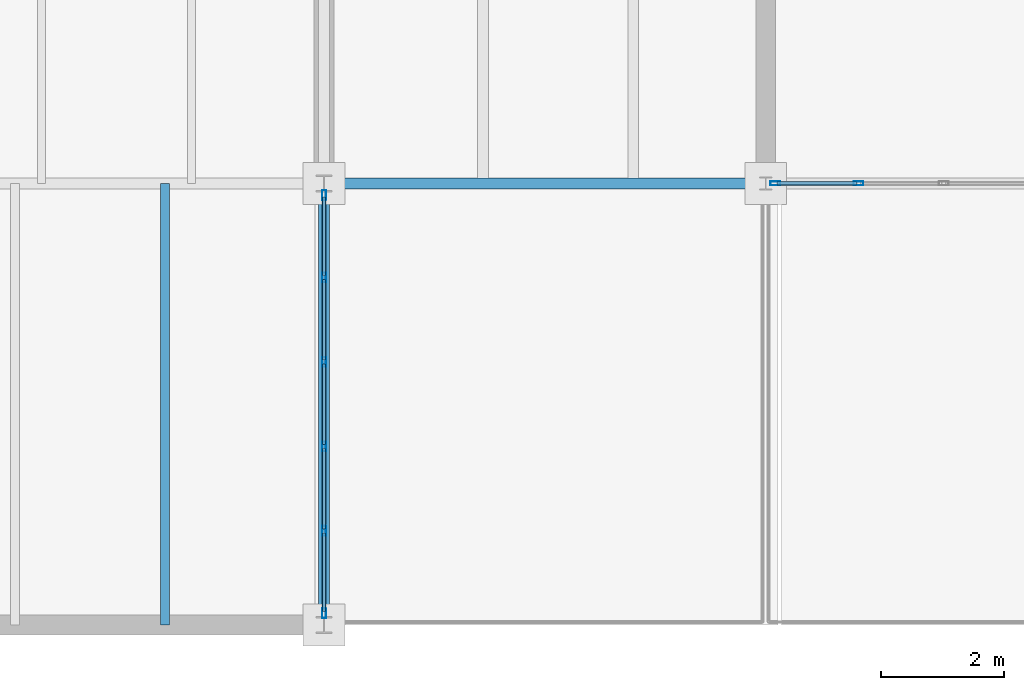
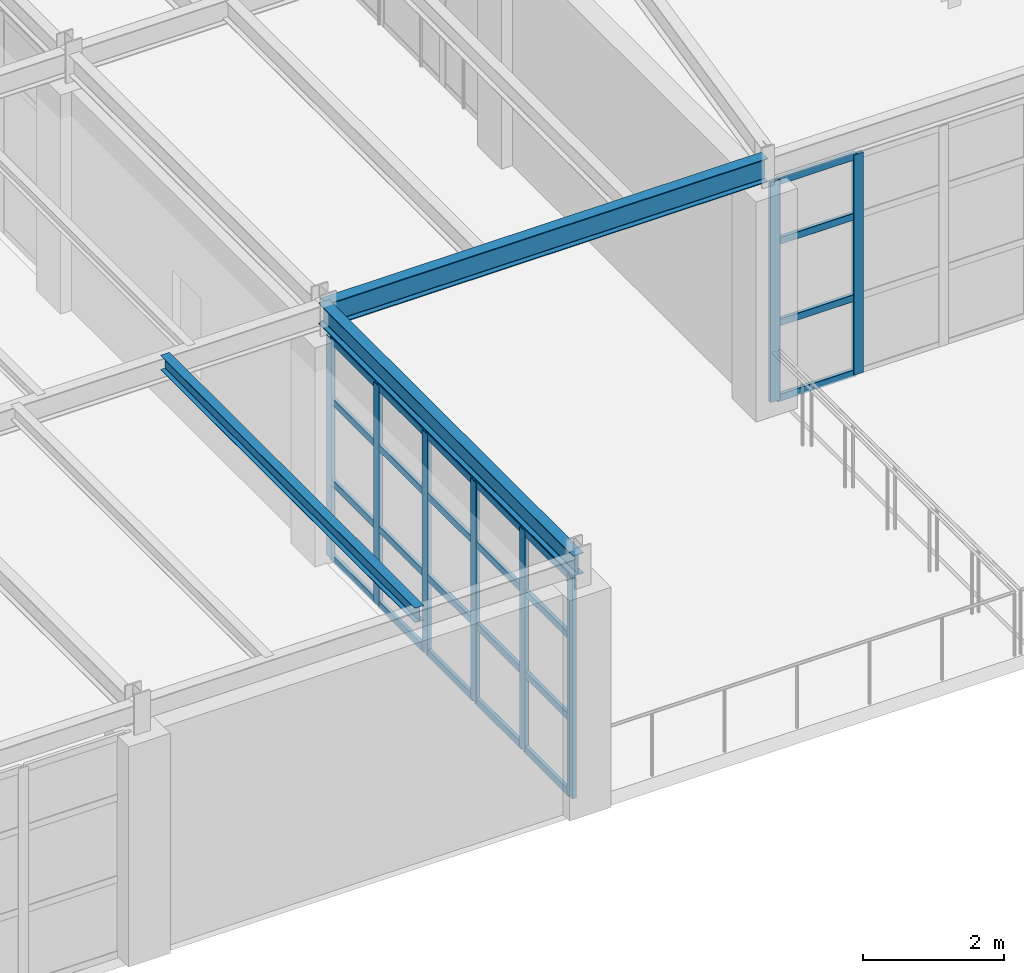
# One storey, part 27 of 101: 32 members, 3 beams, 2 elements without a shape of their own.
"""IFC4 building model written with IfcOpenShell, lengths in metres."""

import ifcopenshell
import ifcopenshell.guid

model = None  # the IFC model being written
_history = None  # IfcOwnerHistory: only IFC2X3 demands one
_inside = {}  # id of a spatial element -> (the spatial element, [elements in it])
_under = {}  # id of a project, library or spatial element -> (it, [spatial elements below it])
_declared = {}  # id of a project -> (the project, [libraries it declares])
_typed = {}  # id of a type object -> (the type object, [elements of that type])
_made_of = {}  # id of a material, layer set ... -> (it, [elements and type objects made of it])


def new_model(schema):
    """Start an empty IFC model of exactly this schema.

    Asked for "IFC4X3", IfcOpenShell would pick the latest addendum, in which some entities
    have other attributes; the version numbers below select the first issue.
    IFC2X3 requires an IfcOwnerHistory on every rooted entity: one is made here for all.
    """
    global model, _history
    if schema == "IFC4X3":
        model = ifcopenshell.file(schema_version=(4, 3, 0, 0))
    else:
        model = ifcopenshell.file(schema=schema)
    _inside.clear()
    _under.clear()
    _declared.clear()
    _typed.clear()
    _made_of.clear()
    _history = None
    if model.schema == "IFC2X3":
        org = make("IfcOrganization", Name="unknown")
        user = make(
            "IfcPersonAndOrganization",
            ThePerson=make("IfcPerson", FamilyName="unknown"),
            TheOrganization=org,
        )
        app = make(
            "IfcApplication",
            ApplicationDeveloper=org,
            Version="unknown",
            ApplicationFullName="unknown",
            ApplicationIdentifier="unknown",
        )
        _history = make(
            "IfcOwnerHistory",
            OwningUser=user,
            OwningApplication=app,
            ChangeAction="ADDED",
            CreationDate=0,
        )
    return model


def make(cls, **values):
    """One entity of the class cls with the attributes given. An attribute that is None is left unset."""
    return model.create_entity(
        cls, **{name: value for name, value in values.items() if value is not None}
    )


def rooted(cls, **values):
    """An entity with a GlobalId (a new one), such as an element, a storey or a relation."""
    return make(cls, GlobalId=ifcopenshell.guid.new(), OwnerHistory=_history, **values)


def si_unit(unit_type, name, prefix=None):
    """IfcSIUnit, for example si_unit("LENGTHUNIT", "METRE", prefix="MILLI")."""
    return make("IfcSIUnit", UnitType=unit_type, Prefix=prefix, Name=name)


def assignment(units):
    """IfcUnitAssignment: the units of a project."""
    return None if units is None else make("IfcUnitAssignment", Units=units)


def point(xyz):
    """IfcCartesianPoint."""
    return None if xyz is None else make("IfcCartesianPoint", Coordinates=xyz)


def direction(xyz):
    """IfcDirection."""
    return None if xyz is None else make("IfcDirection", DirectionRatios=xyz)


def frame(location, z_axis=None, x_axis=None):
    """IfcAxis2Placement3D, a coordinate frame: its origin and axes. An axis left out is left unset."""
    return make(
        "IfcAxis2Placement3D",
        Location=point(location),
        Axis=direction(z_axis),
        RefDirection=direction(x_axis),
    )


def frame_2d(location, x_axis=None):
    """IfcAxis2Placement2D, a coordinate frame in the plane: its origin and x axis."""
    return make(
        "IfcAxis2Placement2D", Location=point(location), RefDirection=direction(x_axis)
    )


def origin():
    """The frame at (0, 0, 0) with its axes left unset."""
    return frame((0.0, 0.0, 0.0))


def origin_2d():
    """The frame at (0, 0) in the plane with its x axis left unset."""
    return frame_2d((0.0, 0.0))


def place(relative_to, where):
    """IfcLocalPlacement: puts the frame where relative to a parent placement (None: the world)."""
    return make(
        "IfcLocalPlacement", PlacementRelTo=relative_to, RelativePlacement=where
    )


def context(
    kind, dimensions, precision=None, world=None, true_north=None, identifier=None
):
    """IfcGeometricRepresentationContext, for example the 3D "Model" context."""
    return make(
        "IfcGeometricRepresentationContext",
        ContextIdentifier=identifier,
        ContextType=kind,
        CoordinateSpaceDimension=dimensions,
        Precision=precision,
        WorldCoordinateSystem=world,
        TrueNorth=true_north,
    )


def subcontext(parent, identifier, kind, view, scale=None):
    """IfcGeometricRepresentationSubContext, for example "Body" below "Model"."""
    return make(
        "IfcGeometricRepresentationSubContext",
        ContextIdentifier=identifier,
        ContextType=kind,
        ParentContext=parent,
        TargetScale=scale,
        TargetView=view,
    )


def project(units=None, contexts=None):
    """IfcProject with its units and contexts."""
    return rooted(
        "IfcProject",
        Name="project",
        RepresentationContexts=contexts,
        UnitsInContext=assignment(units),
    )


def spatial(cls, under=None, at=None, **own):
    """A site, building, storey or space (cls), placed at a placement, below another one or the project."""
    s = rooted(cls, ObjectPlacement=at, **own)
    if under is not None:
        _under.setdefault(under.id(), (under, []))[1].append(s)
    return s


def profile(cls, at=None, kind="AREA", **sizes):
    """A parametric profile (cls). Its sizes go by their IFC names, for example OverallWidth=200.0."""
    return make(cls, ProfileType=kind, Position=at, **sizes)


def hollow_rectangle(**sizes):
    """IfcRectangleHollowProfileDef."""
    return profile("IfcRectangleHollowProfileDef", **sizes)


def i_section(**sizes):
    """IfcIShapeProfileDef."""
    return profile("IfcIShapeProfileDef", **sizes)


def extrude(swept, where, along, depth):
    """IfcExtrudedAreaSolid: the profile swept, set in the frame where, extruded along a direction by depth."""
    return make(
        "IfcExtrudedAreaSolid",
        SweptArea=swept,
        Position=where,
        ExtrudedDirection=direction(along),
        Depth=depth,
    )


def shape(context_of_items, identifier, shape_type, items):
    """IfcShapeRepresentation: the items that make up one representation, for example the "Body"."""
    return make(
        "IfcShapeRepresentation",
        ContextOfItems=context_of_items,
        RepresentationIdentifier=identifier,
        RepresentationType=shape_type,
        Items=items,
    )


def material(Name=None, Category=None):
    """IfcMaterial."""
    return make("IfcMaterial", Name=Name, Category=Category)


def layer(
    of_material, thickness, ventilated=None, Name=None, Category=None, Priority=None
):
    """IfcMaterialLayer: one layer of a wall or slab, of a material (None: an air gap)."""
    return make(
        "IfcMaterialLayer",
        Material=of_material,
        LayerThickness=thickness,
        IsVentilated=ventilated,
        Name=Name,
        Category=Category,
        Priority=Priority,
    )


def layer_set(layers, Name=None):
    """IfcMaterialLayerSet."""
    return make("IfcMaterialLayerSet", MaterialLayers=layers, LayerSetName=Name)


def material_profile(
    of_material, cross_section, Name=None, Category=None, Priority=None
):
    """IfcMaterialProfile: a cross section and its material."""
    return make(
        "IfcMaterialProfile",
        Name=Name,
        Material=of_material,
        Profile=cross_section,
        Priority=Priority,
        Category=Category,
    )


def profile_set(profiles, Name=None, composite=None):
    """IfcMaterialProfileSet."""
    return make(
        "IfcMaterialProfileSet",
        Name=Name,
        MaterialProfiles=profiles,
        CompositeProfile=composite,
    )


def made_of(thing, what):
    """Note that an element or type object is made of a material, layer set ...; save() writes the relation."""
    if what is not None:
        _made_of.setdefault(what.id(), (what, []))[1].append(thing)
    return thing


def type_object(cls, material=None, **own):
    """A type object (cls), such as IfcWallType, which elements share."""
    return made_of(rooted(cls, **own), material)


def element(
    cls,
    number,
    at=None,
    inside=None,
    cuts=None,
    type_object=None,
    material=None,
    context=None,
    identifier="Body",
    shape_type=None,
    held_by="IfcProductDefinitionShape",
    body=None,
    shapes=None,
    **own,
):
    """One element of the class cls, such as IfcWall. Its Tag is "e" and its number.

    at: its placement. inside: the storey or other place that contains it. cuts: it is an
    opening in that element (IfcRelVoidsElement). A single representation is given by context,
    identifier, shape_type and body (its items); several are given by shapes. held_by: the class
    of the entity that holds the representations. save() writes the other relations.
    """
    e = rooted(cls, Tag="e%d" % number, ObjectPlacement=at, **own)
    if body is not None:
        shapes = [shape(context, identifier, shape_type, body)]
    if shapes is not None:
        e.Representation = make(held_by, Representations=shapes)
    if inside is not None:
        _inside.setdefault(inside.id(), (inside, []))[1].append(e)
    if cuts is not None:
        rooted(
            "IfcRelVoidsElement", RelatingBuildingElement=cuts, RelatedOpeningElement=e
        )
    if type_object is not None:
        _typed.setdefault(type_object.id(), (type_object, []))[1].append(e)
    return made_of(e, material)


def aggregate(whole, parts):
    """IfcRelAggregates: a whole, such as a stair, and the parts it consists of."""
    return rooted("IfcRelAggregates", RelatingObject=whole, RelatedObjects=parts)


def save(model, path):
    """Write the relations noted so far, then the file.

    IfcRelAggregates (storeys below a building ...), IfcRelContainedInSpatialStructure (elements
    in a storey), IfcRelDefinesByType, IfcRelAssociatesMaterial and IfcRelDeclares: one each for
    every whole, place, type object, material and project.
    """
    for whole, parts in _under.values():
        aggregate(whole, parts)
    for where, things in _inside.values():
        rooted(
            "IfcRelContainedInSpatialStructure",
            RelatedElements=things,
            RelatingStructure=where,
        )
    for kind, things in _typed.values():
        rooted("IfcRelDefinesByType", RelatedObjects=things, RelatingType=kind)
    for what, things in _made_of.values():
        rooted("IfcRelAssociatesMaterial", RelatedObjects=things, RelatingMaterial=what)
    for by, libraries in _declared.values():
        rooted("IfcRelDeclares", RelatingContext=by, RelatedDefinitions=libraries)
    model.write(path)


model = new_model("IFC4")

# Units and contexts
model_context = context("Model", 3, precision=1e-05, world=origin(), true_north=direction((0.0, 1.0)))
body_context = subcontext(model_context, "Body", "Model", "MODEL_VIEW")
ifc_project = project(units=[si_unit("LENGTHUNIT", "METRE"), si_unit("AREAUNIT", "SQUARE_METRE"), si_unit("VOLUMEUNIT", "CUBIC_METRE"), si_unit("PLANEANGLEUNIT", "RADIAN"), si_unit("MASSUNIT", "GRAM", prefix="KILO")], contexts=[model_context])

# Site, building, storey
site_placement = place(None, origin())
site = spatial("IfcSite", under=ifc_project, at=site_placement, CompositionType="ELEMENT")
building_placement = place(site_placement, origin())
building = spatial("IfcBuilding", under=site, at=building_placement, Name="Kemerveld Promenade Tramway Depot", CompositionType="ELEMENT")
storey_placement = place(building_placement, frame((0.0, 0.0, 9.89990234375)))
storey = spatial("IfcBuildingStorey", under=building, at=storey_placement, Name="L02", CompositionType="ELEMENT", Elevation=9.89990234375)

# Beams
ifc_material_1 = material(Name="Steel S355", Category="steel")
ifc_material_profile_1 = material_profile(ifc_material_1, i_section(OverallWidth=0.1787109375, OverallDepth=0.409423828125, WebThickness=0.0087890625, FlangeThickness=0.014404296875, FilletRadius=0.01025390625, at=origin_2d()), Name="406x178x67 UB")
ifc_profile_set_1 = profile_set([ifc_material_profile_1], Name="Steel S355")
beam_type_1 = type_object("IfcBeamType", Name="BM-G07", PredefinedType="BEAM", material=ifc_profile_set_1)
beam_1_placement = place(storey_placement, frame((50.39990234375, 7.199951171875, 4.080322265625), z_axis=(1.0, 0.0, 0.0), x_axis=(0.0, 1.0, 0.0)))
element("IfcBeam", 1, at=beam_1_placement, inside=storey, type_object=beam_type_1, Name="BMX-L02-08-09-B", PredefinedType="BEAM", context=body_context, shape_type="SweptSolid", body=[
    extrude(i_section(OverallWidth=0.1787109375, OverallDepth=0.409423828125, WebThickness=0.0087890625, FlangeThickness=0.014404296875, FilletRadius=0.01025390625, at=origin_2d()), origin(), (0.0, 0.0, 1.0), 7.2001953125),
])
ifc_material_profile_2 = material_profile(ifc_material_1, i_section(OverallWidth=0.172119140625, OverallDepth=0.35791015625, WebThickness=0.008056640625, FlangeThickness=0.012939453125, FilletRadius=0.01025390625, at=origin_2d()), Name="356x171x57 UB")
ifc_profile_set_2 = profile_set([ifc_material_profile_2], Name="Steel S355")
beam_type_2 = type_object("IfcBeamType", Name="BM-G08", PredefinedType="BEAM", material=ifc_profile_set_2)
beam_2_placement = place(storey_placement, frame((50.39990234375, 0.0, 4.106201171875), z_axis=(0.0, 1.0, 0.0), x_axis=(-1.0, 0.0, 0.0)))
element("IfcBeam", 2, at=beam_2_placement, inside=storey, type_object=beam_type_2, Name="BMY-L02-08-A-B", PredefinedType="BEAM", context=body_context, shape_type="SweptSolid", body=[
    extrude(i_section(OverallWidth=0.172119140625, OverallDepth=0.35791015625, WebThickness=0.008056640625, FlangeThickness=0.012939453125, FilletRadius=0.01025390625, at=origin_2d()), origin(), (0.0, 0.0, 1.0), 7.199951171875),
])
ifc_material_profile_3 = material_profile(ifc_material_1, i_section(OverallWidth=0.146484375, OverallDepth=0.256103515625, WebThickness=0.00634765625, FlangeThickness=0.010986328125, FilletRadius=0.007568359375, at=origin_2d()), Name="254x146x37 UB")
ifc_profile_set_3 = profile_set([ifc_material_profile_3], Name="Steel S355")
beam_type_3 = type_object("IfcBeamType", Name="BM-J02", PredefinedType="JOIST", material=ifc_profile_set_3)
beam_3_placement = place(storey_placement, frame((47.80810546875, 0.0, 4.156982421875), z_axis=(0.0, 1.0, 0.0), x_axis=(-1.0, 0.0, 0.0)))
element("IfcBeam", 3, at=beam_3_placement, inside=storey, type_object=beam_type_3, Name="JST-L02-07-A-2", PredefinedType="JOIST", context=body_context, shape_type="SweptSolid", body=[
    extrude(i_section(OverallWidth=0.146484375, OverallDepth=0.256103515625, WebThickness=0.00634765625, FlangeThickness=0.010986328125, FilletRadius=0.007568359375, at=origin_2d()), origin(), (0.0, 0.0, 1.0), 7.199951171875),
])

# Curtain wall, members
ifc_material_2 = material(Name="Bronze anodised aluminium and solar glass", Category="aluminium")
ifc_layer = layer(ifc_material_2, 0.159912109375)
ifc_layer_set = layer_set([ifc_layer], Name="CW-SYS-13")
curtain_wall_type = type_object("IfcCurtainWallType", Name="CW-SYS-13", PredefinedType="USERDEFINED", material=ifc_layer_set)
curtain_wall_1_placement = place(storey_placement, origin())
curtain_wall_1 = element("IfcCurtainWall", 4, at=curtain_wall_1_placement, inside=storey, type_object=curtain_wall_type, Name="CW-L02-V5E-10", ObjectType="GLAZED_CURTAIN_WALL", PredefinedType="USERDEFINED")
ifc_material_3 = material(Name="Bronze anodised aluminium", Category="aluminium")
ifc_material_profile_4 = material_profile(ifc_material_3, hollow_rectangle(XDim=0.06494140625, YDim=0.159912109375, WallThickness=0.00390625, InnerFilletRadius=0.001953125, OuterFilletRadius=0.00390625, at=origin_2d()), Name="CW-MUL-160x65")
ifc_profile_set_4 = profile_set([ifc_material_profile_4], Name="Bronze anodised aluminium")
member_type_1 = type_object("IfcMemberType", Name="CW-MUL-A", PredefinedType="MULLION", material=ifc_profile_set_4)
member_1_placement = place(storey_placement, frame((50.39990234375, 7.009521484375, 0.0), z_axis=(0.0, 0.0, 1.0), x_axis=(1.0, 0.0, 0.0)))
member_1 = element("IfcMember", 5, at=member_1_placement, type_object=member_type_1, Name="CW13 mullion 1", PredefinedType="MULLION", context=body_context, shape_type="SweptSolid", body=[
    extrude(hollow_rectangle(XDim=0.06494140625, YDim=0.159912109375, WallThickness=0.00390625, InnerFilletRadius=0.001953125, OuterFilletRadius=0.00390625, at=origin_2d()), origin(), (0.0, 0.0, 1.0), 3.800048828125),
])
member_2_placement = place(storey_placement, frame((50.39990234375, 5.6650390625, 0.0), z_axis=(0.0, 0.0, 1.0), x_axis=(1.0, 0.0, 0.0)))
member_2 = element("IfcMember", 6, at=member_2_placement, type_object=member_type_1, Name="CW13 mullion 2", PredefinedType="MULLION", context=body_context, shape_type="SweptSolid", body=[
    extrude(hollow_rectangle(XDim=0.06494140625, YDim=0.159912109375, WallThickness=0.00390625, InnerFilletRadius=0.001953125, OuterFilletRadius=0.00390625, at=origin_2d()), origin(), (0.0, 0.0, 1.0), 3.800048828125),
])
member_3_placement = place(storey_placement, frame((50.39990234375, 4.288330078125, 0.0), z_axis=(0.0, 0.0, 1.0), x_axis=(1.0, 0.0, 0.0)))
member_3 = element("IfcMember", 7, at=member_3_placement, type_object=member_type_1, Name="CW13 mullion 3", PredefinedType="MULLION", context=body_context, shape_type="SweptSolid", body=[
    extrude(hollow_rectangle(XDim=0.06494140625, YDim=0.159912109375, WallThickness=0.00390625, InnerFilletRadius=0.001953125, OuterFilletRadius=0.00390625, at=origin_2d()), origin(), (0.0, 0.0, 1.0), 3.800048828125),
])
member_4_placement = place(storey_placement, frame((50.39990234375, 2.91162109375, 0.0), z_axis=(0.0, 0.0, 1.0), x_axis=(1.0, 0.0, 0.0)))
member_4 = element("IfcMember", 8, at=member_4_placement, type_object=member_type_1, Name="CW13 mullion 4", PredefinedType="MULLION", context=body_context, shape_type="SweptSolid", body=[
    extrude(hollow_rectangle(XDim=0.06494140625, YDim=0.159912109375, WallThickness=0.00390625, InnerFilletRadius=0.001953125, OuterFilletRadius=0.00390625, at=origin_2d()), origin(), (0.0, 0.0, 1.0), 3.800048828125),
])
member_5_placement = place(storey_placement, frame((50.39990234375, 1.534912109375, 0.0), z_axis=(0.0, 0.0, 1.0), x_axis=(1.0, 0.0, 0.0)))
member_5 = element("IfcMember", 9, at=member_5_placement, type_object=member_type_1, Name="CW13 mullion 5", PredefinedType="MULLION", context=body_context, shape_type="SweptSolid", body=[
    extrude(hollow_rectangle(XDim=0.06494140625, YDim=0.159912109375, WallThickness=0.00390625, InnerFilletRadius=0.001953125, OuterFilletRadius=0.00390625, at=origin_2d()), origin(), (0.0, 0.0, 1.0), 3.800048828125),
])
member_6_placement = place(storey_placement, frame((50.39990234375, 0.190673828125, 0.0), z_axis=(0.0, 0.0, 1.0), x_axis=(1.0, 0.0, 0.0)))
member_6 = element("IfcMember", 10, at=member_6_placement, type_object=member_type_1, Name="CW13 mullion 6", PredefinedType="MULLION", context=body_context, shape_type="SweptSolid", body=[
    extrude(hollow_rectangle(XDim=0.06494140625, YDim=0.159912109375, WallThickness=0.00390625, InnerFilletRadius=0.001953125, OuterFilletRadius=0.00390625, at=origin_2d()), origin(), (0.0, 0.0, 1.0), 3.800048828125),
])

curtain_wall_2_placement = place(storey_placement, origin())
curtain_wall_2 = element("IfcCurtainWall", 11, at=curtain_wall_2_placement, inside=storey, type_object=curtain_wall_type, Name="CW-L02-V4S-10", ObjectType="GLAZED_CURTAIN_WALL", PredefinedType="USERDEFINED")
member_7_placement = place(storey_placement, frame((59.114990234375, 7.199951171875, 0.0), z_axis=(0.0, 0.0, 1.0), x_axis=(0.0, -1.0, 0.0)))
member_7 = element("IfcMember", 12, at=member_7_placement, type_object=member_type_1, Name="CW13 mullion 5", PredefinedType="MULLION", context=body_context, shape_type="SweptSolid", body=[
    extrude(hollow_rectangle(XDim=0.06494140625, YDim=0.159912109375, WallThickness=0.00390625, InnerFilletRadius=0.001953125, OuterFilletRadius=0.00390625, at=origin_2d()), origin(), (0.0, 0.0, 1.0), 3.800048828125),
])
member_8_placement = place(storey_placement, frame((57.75732421875, 7.199951171875, 0.0), z_axis=(0.0, 0.0, 1.0), x_axis=(0.0, -1.0, 0.0)))
member_8 = element("IfcMember", 13, at=member_8_placement, type_object=member_type_1, Name="CW13 mullion 6", PredefinedType="MULLION", context=body_context, shape_type="SweptSolid", body=[
    extrude(hollow_rectangle(XDim=0.06494140625, YDim=0.159912109375, WallThickness=0.00390625, InnerFilletRadius=0.001953125, OuterFilletRadius=0.00390625, at=origin_2d()), origin(), (0.0, 0.0, 1.0), 3.800048828125),
])

# Member
ifc_material_profile_5 = material_profile(ifc_material_3, hollow_rectangle(XDim=0.06005859375, YDim=0.1201171875, WallThickness=0.00390625, InnerFilletRadius=0.001953125, OuterFilletRadius=0.00390625, at=origin_2d()), Name="CW-TRN-120x60")
ifc_profile_set_5 = profile_set([ifc_material_profile_5], Name="Bronze anodised aluminium")
member_type_2 = type_object("IfcMemberType", Name="CW-TRN-A", PredefinedType="USERDEFINED", material=ifc_profile_set_5)
member_9_placement = place(storey_placement, frame((50.39990234375, 6.976806640625, 0.030029296875), z_axis=(0.0, -1.0, 0.0), x_axis=(1.0, 0.0, 0.0)))
member_9 = element("IfcMember", 14, at=member_9_placement, type_object=member_type_2, Name="CW13 transom 1.1", ObjectType="TRANSOM", PredefinedType="USERDEFINED", context=body_context, shape_type="SweptSolid", body=[
    extrude(hollow_rectangle(XDim=0.06005859375, YDim=0.1201171875, WallThickness=0.00390625, InnerFilletRadius=0.001953125, OuterFilletRadius=0.00390625, at=origin_2d()), origin(), (0.0, 0.0, 1.0), 1.279052734375),
])

member_10_placement = place(storey_placement, frame((50.39990234375, 6.976806640625, 1.330078125), z_axis=(0.0, -1.0, 0.0), x_axis=(1.0, 0.0, 0.0)))
member_10 = element("IfcMember", 15, at=member_10_placement, type_object=member_type_2, Name="CW13 transom 1.2", ObjectType="TRANSOM", PredefinedType="USERDEFINED", context=body_context, shape_type="SweptSolid", body=[
    extrude(hollow_rectangle(XDim=0.06005859375, YDim=0.1201171875, WallThickness=0.00390625, InnerFilletRadius=0.001953125, OuterFilletRadius=0.00390625, at=origin_2d()), origin(), (0.0, 0.0, 1.0), 1.279052734375),
])

member_11_placement = place(storey_placement, frame((50.39990234375, 6.976806640625, 2.736083984375), z_axis=(0.0, -1.0, 0.0), x_axis=(1.0, 0.0, 0.0)))
member_11 = element("IfcMember", 16, at=member_11_placement, type_object=member_type_2, Name="CW13 transom 1.3", ObjectType="TRANSOM", PredefinedType="USERDEFINED", context=body_context, shape_type="SweptSolid", body=[
    extrude(hollow_rectangle(XDim=0.06005859375, YDim=0.1201171875, WallThickness=0.00390625, InnerFilletRadius=0.001953125, OuterFilletRadius=0.00390625, at=origin_2d()), origin(), (0.0, 0.0, 1.0), 1.279052734375),
])

member_12_placement = place(storey_placement, frame((50.39990234375, 6.976806640625, 3.77001953125), z_axis=(0.0, -1.0, 0.0), x_axis=(1.0, 0.0, 0.0)))
member_12 = element("IfcMember", 17, at=member_12_placement, type_object=member_type_2, Name="CW13 transom 1.4", ObjectType="TRANSOM", PredefinedType="USERDEFINED", context=body_context, shape_type="SweptSolid", body=[
    extrude(hollow_rectangle(XDim=0.06005859375, YDim=0.1201171875, WallThickness=0.00390625, InnerFilletRadius=0.001953125, OuterFilletRadius=0.00390625, at=origin_2d()), origin(), (0.0, 0.0, 1.0), 1.279052734375),
])

member_13_placement = place(storey_placement, frame((50.39990234375, 5.632568359375, 0.030029296875), z_axis=(0.0, -1.0, 0.0), x_axis=(1.0, 0.0, 0.0)))
member_13 = element("IfcMember", 18, at=member_13_placement, type_object=member_type_2, Name="CW13 transom 2.1", ObjectType="TRANSOM", PredefinedType="USERDEFINED", context=body_context, shape_type="SweptSolid", body=[
    extrude(hollow_rectangle(XDim=0.06005859375, YDim=0.1201171875, WallThickness=0.00390625, InnerFilletRadius=0.001953125, OuterFilletRadius=0.00390625, at=origin_2d()), origin(), (0.0, 0.0, 1.0), 1.311767578125),
])

member_14_placement = place(storey_placement, frame((50.39990234375, 5.632568359375, 1.330078125), z_axis=(0.0, -1.0, 0.0), x_axis=(1.0, 0.0, 0.0)))
member_14 = element("IfcMember", 19, at=member_14_placement, type_object=member_type_2, Name="CW13 transom 2.2", ObjectType="TRANSOM", PredefinedType="USERDEFINED", context=body_context, shape_type="SweptSolid", body=[
    extrude(hollow_rectangle(XDim=0.06005859375, YDim=0.1201171875, WallThickness=0.00390625, InnerFilletRadius=0.001953125, OuterFilletRadius=0.00390625, at=origin_2d()), origin(), (0.0, 0.0, 1.0), 1.311767578125),
])

member_15_placement = place(storey_placement, frame((50.39990234375, 5.632568359375, 2.736083984375), z_axis=(0.0, -1.0, 0.0), x_axis=(1.0, 0.0, 0.0)))
member_15 = element("IfcMember", 20, at=member_15_placement, type_object=member_type_2, Name="CW13 transom 2.3", ObjectType="TRANSOM", PredefinedType="USERDEFINED", context=body_context, shape_type="SweptSolid", body=[
    extrude(hollow_rectangle(XDim=0.06005859375, YDim=0.1201171875, WallThickness=0.00390625, InnerFilletRadius=0.001953125, OuterFilletRadius=0.00390625, at=origin_2d()), origin(), (0.0, 0.0, 1.0), 1.311767578125),
])

member_16_placement = place(storey_placement, frame((50.39990234375, 5.632568359375, 3.77001953125), z_axis=(0.0, -1.0, 0.0), x_axis=(1.0, 0.0, 0.0)))
member_16 = element("IfcMember", 21, at=member_16_placement, type_object=member_type_2, Name="CW13 transom 2.4", ObjectType="TRANSOM", PredefinedType="USERDEFINED", context=body_context, shape_type="SweptSolid", body=[
    extrude(hollow_rectangle(XDim=0.06005859375, YDim=0.1201171875, WallThickness=0.00390625, InnerFilletRadius=0.001953125, OuterFilletRadius=0.00390625, at=origin_2d()), origin(), (0.0, 0.0, 1.0), 1.311767578125),
])

member_17_placement = place(storey_placement, frame((50.39990234375, 4.255859375, 0.030029296875), z_axis=(0.0, -1.0, 0.0), x_axis=(1.0, 0.0, 0.0)))
member_17 = element("IfcMember", 22, at=member_17_placement, type_object=member_type_2, Name="CW13 transom 3.1", ObjectType="TRANSOM", PredefinedType="USERDEFINED", context=body_context, shape_type="SweptSolid", body=[
    extrude(hollow_rectangle(XDim=0.06005859375, YDim=0.1201171875, WallThickness=0.00390625, InnerFilletRadius=0.001953125, OuterFilletRadius=0.00390625, at=origin_2d()), origin(), (0.0, 0.0, 1.0), 1.311767578125),
])

member_18_placement = place(storey_placement, frame((50.39990234375, 4.255859375, 1.330078125), z_axis=(0.0, -1.0, 0.0), x_axis=(1.0, 0.0, 0.0)))
member_18 = element("IfcMember", 23, at=member_18_placement, type_object=member_type_2, Name="CW13 transom 3.2", ObjectType="TRANSOM", PredefinedType="USERDEFINED", context=body_context, shape_type="SweptSolid", body=[
    extrude(hollow_rectangle(XDim=0.06005859375, YDim=0.1201171875, WallThickness=0.00390625, InnerFilletRadius=0.001953125, OuterFilletRadius=0.00390625, at=origin_2d()), origin(), (0.0, 0.0, 1.0), 1.311767578125),
])

member_19_placement = place(storey_placement, frame((50.39990234375, 4.255859375, 2.736083984375), z_axis=(0.0, -1.0, 0.0), x_axis=(1.0, 0.0, 0.0)))
member_19 = element("IfcMember", 24, at=member_19_placement, type_object=member_type_2, Name="CW13 transom 3.3", ObjectType="TRANSOM", PredefinedType="USERDEFINED", context=body_context, shape_type="SweptSolid", body=[
    extrude(hollow_rectangle(XDim=0.06005859375, YDim=0.1201171875, WallThickness=0.00390625, InnerFilletRadius=0.001953125, OuterFilletRadius=0.00390625, at=origin_2d()), origin(), (0.0, 0.0, 1.0), 1.311767578125),
])

member_20_placement = place(storey_placement, frame((50.39990234375, 4.255859375, 3.77001953125), z_axis=(0.0, -1.0, 0.0), x_axis=(1.0, 0.0, 0.0)))
member_20 = element("IfcMember", 25, at=member_20_placement, type_object=member_type_2, Name="CW13 transom 3.4", ObjectType="TRANSOM", PredefinedType="USERDEFINED", context=body_context, shape_type="SweptSolid", body=[
    extrude(hollow_rectangle(XDim=0.06005859375, YDim=0.1201171875, WallThickness=0.00390625, InnerFilletRadius=0.001953125, OuterFilletRadius=0.00390625, at=origin_2d()), origin(), (0.0, 0.0, 1.0), 1.311767578125),
])

member_21_placement = place(storey_placement, frame((50.39990234375, 2.879150390625, 0.030029296875), z_axis=(0.0, -1.0, 0.0), x_axis=(1.0, 0.0, 0.0)))
member_21 = element("IfcMember", 26, at=member_21_placement, type_object=member_type_2, Name="CW13 transom 4.1", ObjectType="TRANSOM", PredefinedType="USERDEFINED", context=body_context, shape_type="SweptSolid", body=[
    extrude(hollow_rectangle(XDim=0.06005859375, YDim=0.1201171875, WallThickness=0.00390625, InnerFilletRadius=0.001953125, OuterFilletRadius=0.00390625, at=origin_2d()), origin(), (0.0, 0.0, 1.0), 1.311767578125),
])

member_22_placement = place(storey_placement, frame((50.39990234375, 2.879150390625, 1.330078125), z_axis=(0.0, -1.0, 0.0), x_axis=(1.0, 0.0, 0.0)))
member_22 = element("IfcMember", 27, at=member_22_placement, type_object=member_type_2, Name="CW13 transom 4.2", ObjectType="TRANSOM", PredefinedType="USERDEFINED", context=body_context, shape_type="SweptSolid", body=[
    extrude(hollow_rectangle(XDim=0.06005859375, YDim=0.1201171875, WallThickness=0.00390625, InnerFilletRadius=0.001953125, OuterFilletRadius=0.00390625, at=origin_2d()), origin(), (0.0, 0.0, 1.0), 1.311767578125),
])

member_23_placement = place(storey_placement, frame((50.39990234375, 2.879150390625, 2.736083984375), z_axis=(0.0, -1.0, 0.0), x_axis=(1.0, 0.0, 0.0)))
member_23 = element("IfcMember", 28, at=member_23_placement, type_object=member_type_2, Name="CW13 transom 4.3", ObjectType="TRANSOM", PredefinedType="USERDEFINED", context=body_context, shape_type="SweptSolid", body=[
    extrude(hollow_rectangle(XDim=0.06005859375, YDim=0.1201171875, WallThickness=0.00390625, InnerFilletRadius=0.001953125, OuterFilletRadius=0.00390625, at=origin_2d()), origin(), (0.0, 0.0, 1.0), 1.311767578125),
])

member_24_placement = place(storey_placement, frame((50.39990234375, 2.879150390625, 3.77001953125), z_axis=(0.0, -1.0, 0.0), x_axis=(1.0, 0.0, 0.0)))
member_24 = element("IfcMember", 29, at=member_24_placement, type_object=member_type_2, Name="CW13 transom 4.4", ObjectType="TRANSOM", PredefinedType="USERDEFINED", context=body_context, shape_type="SweptSolid", body=[
    extrude(hollow_rectangle(XDim=0.06005859375, YDim=0.1201171875, WallThickness=0.00390625, InnerFilletRadius=0.001953125, OuterFilletRadius=0.00390625, at=origin_2d()), origin(), (0.0, 0.0, 1.0), 1.311767578125),
])

member_25_placement = place(storey_placement, frame((50.39990234375, 1.50244140625, 0.030029296875), z_axis=(0.0, -1.0, 0.0), x_axis=(1.0, 0.0, 0.0)))
member_25 = element("IfcMember", 30, at=member_25_placement, type_object=member_type_2, Name="CW13 transom 5.1", ObjectType="TRANSOM", PredefinedType="USERDEFINED", context=body_context, shape_type="SweptSolid", body=[
    extrude(hollow_rectangle(XDim=0.06005859375, YDim=0.1201171875, WallThickness=0.00390625, InnerFilletRadius=0.001953125, OuterFilletRadius=0.00390625, at=origin_2d()), origin(), (0.0, 0.0, 1.0), 1.279296875),
])

member_26_placement = place(storey_placement, frame((50.39990234375, 1.50244140625, 1.330078125), z_axis=(0.0, -1.0, 0.0), x_axis=(1.0, 0.0, 0.0)))
member_26 = element("IfcMember", 31, at=member_26_placement, type_object=member_type_2, Name="CW13 transom 5.2", ObjectType="TRANSOM", PredefinedType="USERDEFINED", context=body_context, shape_type="SweptSolid", body=[
    extrude(hollow_rectangle(XDim=0.06005859375, YDim=0.1201171875, WallThickness=0.00390625, InnerFilletRadius=0.001953125, OuterFilletRadius=0.00390625, at=origin_2d()), origin(), (0.0, 0.0, 1.0), 1.279296875),
])

member_27_placement = place(storey_placement, frame((50.39990234375, 1.50244140625, 2.736083984375), z_axis=(0.0, -1.0, 0.0), x_axis=(1.0, 0.0, 0.0)))
member_27 = element("IfcMember", 32, at=member_27_placement, type_object=member_type_2, Name="CW13 transom 5.3", ObjectType="TRANSOM", PredefinedType="USERDEFINED", context=body_context, shape_type="SweptSolid", body=[
    extrude(hollow_rectangle(XDim=0.06005859375, YDim=0.1201171875, WallThickness=0.00390625, InnerFilletRadius=0.001953125, OuterFilletRadius=0.00390625, at=origin_2d()), origin(), (0.0, 0.0, 1.0), 1.279296875),
])

member_28_placement = place(storey_placement, frame((50.39990234375, 1.50244140625, 3.77001953125), z_axis=(0.0, -1.0, 0.0), x_axis=(1.0, 0.0, 0.0)))
member_28 = element("IfcMember", 33, at=member_28_placement, type_object=member_type_2, Name="CW13 transom 5.4", ObjectType="TRANSOM", PredefinedType="USERDEFINED", context=body_context, shape_type="SweptSolid", body=[
    extrude(hollow_rectangle(XDim=0.06005859375, YDim=0.1201171875, WallThickness=0.00390625, InnerFilletRadius=0.001953125, OuterFilletRadius=0.00390625, at=origin_2d()), origin(), (0.0, 0.0, 1.0), 1.279296875),
])

aggregate(curtain_wall_1, [member_1, member_2, member_3, member_4, member_5, member_6, member_9, member_10, member_11, member_12, member_13, member_14, member_15, member_16, member_17, member_18, member_19, member_20, member_21, member_22, member_23, member_24, member_25, member_26, member_27, member_28])

member_29_placement = place(storey_placement, frame((59.082275390625, 7.199951171875, 0.030029296875), z_axis=(-1.0, 0.0, 0.0), x_axis=(0.0, -1.0, 0.0)))
member_29 = element("IfcMember", 34, at=member_29_placement, type_object=member_type_2, Name="CW13 transom 5.1", ObjectType="TRANSOM", PredefinedType="USERDEFINED", context=body_context, shape_type="SweptSolid", body=[
    extrude(hollow_rectangle(XDim=0.06005859375, YDim=0.1201171875, WallThickness=0.00390625, InnerFilletRadius=0.001953125, OuterFilletRadius=0.00390625, at=origin_2d()), origin(), (0.0, 0.0, 1.0), 1.29248046875),
])

member_30_placement = place(storey_placement, frame((59.082275390625, 7.199951171875, 1.330078125), z_axis=(-1.0, 0.0, 0.0), x_axis=(0.0, -1.0, 0.0)))
member_30 = element("IfcMember", 35, at=member_30_placement, type_object=member_type_2, Name="CW13 transom 5.2", ObjectType="TRANSOM", PredefinedType="USERDEFINED", context=body_context, shape_type="SweptSolid", body=[
    extrude(hollow_rectangle(XDim=0.06005859375, YDim=0.1201171875, WallThickness=0.00390625, InnerFilletRadius=0.001953125, OuterFilletRadius=0.00390625, at=origin_2d()), origin(), (0.0, 0.0, 1.0), 1.29248046875),
])

member_31_placement = place(storey_placement, frame((59.082275390625, 7.199951171875, 2.736083984375), z_axis=(-1.0, 0.0, 0.0), x_axis=(0.0, -1.0, 0.0)))
member_31 = element("IfcMember", 36, at=member_31_placement, type_object=member_type_2, Name="CW13 transom 5.3", ObjectType="TRANSOM", PredefinedType="USERDEFINED", context=body_context, shape_type="SweptSolid", body=[
    extrude(hollow_rectangle(XDim=0.06005859375, YDim=0.1201171875, WallThickness=0.00390625, InnerFilletRadius=0.001953125, OuterFilletRadius=0.00390625, at=origin_2d()), origin(), (0.0, 0.0, 1.0), 1.29248046875),
])

member_32_placement = place(storey_placement, frame((59.082275390625, 7.199951171875, 3.77001953125), z_axis=(-1.0, 0.0, 0.0), x_axis=(0.0, -1.0, 0.0)))
member_32 = element("IfcMember", 37, at=member_32_placement, type_object=member_type_2, Name="CW13 transom 5.4", ObjectType="TRANSOM", PredefinedType="USERDEFINED", context=body_context, shape_type="SweptSolid", body=[
    extrude(hollow_rectangle(XDim=0.06005859375, YDim=0.1201171875, WallThickness=0.00390625, InnerFilletRadius=0.001953125, OuterFilletRadius=0.00390625, at=origin_2d()), origin(), (0.0, 0.0, 1.0), 1.29248046875),
])

aggregate(curtain_wall_2, [member_7, member_8, member_29, member_30, member_31, member_32])

save(model, "model.ifc")
